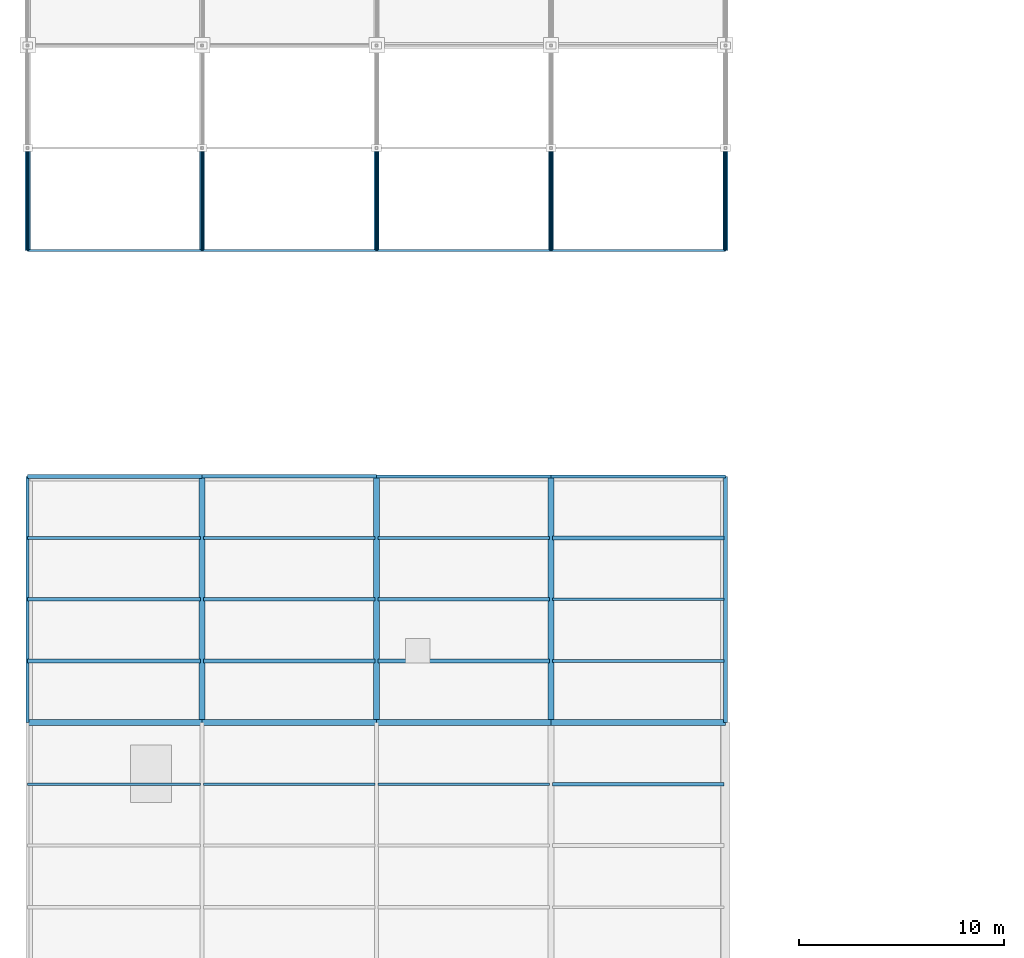
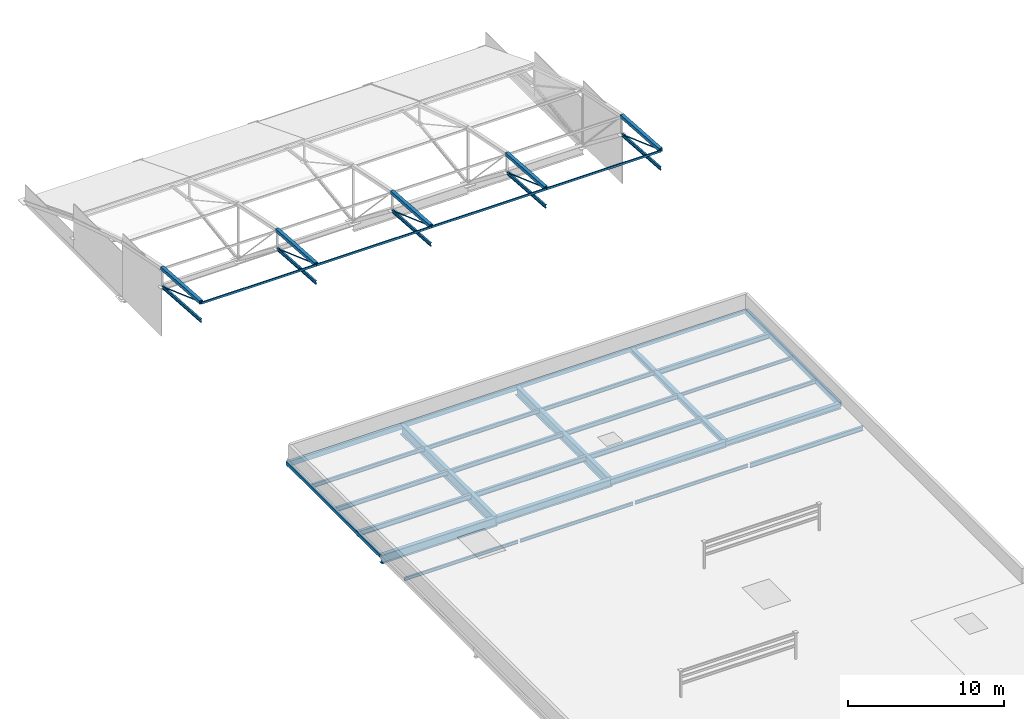
# One storey, part 30 of 66: 29 beams, 19 members.
"""IFC4 building model written with IfcOpenShell, lengths in metres."""

from ifc_helpers import new_model, si_unit, direction, frame, origin, origin_2d, place, context, subcontext, project, spatial, hollow_rectangle, hollow_circle, i_section, extrude, material, material_profile, profile_set, type_object, element, save


model = new_model("IFC4")

# Units and contexts
model_context = context("Model", 3, precision=1e-05, world=origin(), true_north=direction((0.0, 1.0)))
body_context = subcontext(model_context, "Body", "Model", "MODEL_VIEW")
ifc_project = project(units=[si_unit("LENGTHUNIT", "METRE"), si_unit("AREAUNIT", "SQUARE_METRE"), si_unit("VOLUMEUNIT", "CUBIC_METRE"), si_unit("PLANEANGLEUNIT", "RADIAN"), si_unit("MASSUNIT", "GRAM", prefix="KILO")], contexts=[model_context])

# Site, building, storey
site_placement = place(None, origin())
site = spatial("IfcSite", under=ifc_project, at=site_placement, CompositionType="ELEMENT")
building_placement = place(site_placement, origin())
building = spatial("IfcBuilding", under=site, at=building_placement, Name="Solvikara Media Centre", CompositionType="ELEMENT")
storey_placement = place(building_placement, frame((0.0, 0.0, 19.800048828125)))
storey = spatial("IfcBuildingStorey", under=building, at=storey_placement, Name="L04", CompositionType="ELEMENT", Elevation=19.800048828125)

# Beams
ifc_material = material(Name="Steel S355JR", Category="steel")
ifc_material_profile_1 = material_profile(ifc_material, i_section(OverallWidth=0.300048828125, OverallDepth=0.800048828125, WebThickness=0.013916015625, FlangeThickness=0.02587890625, at=origin_2d()), Name="WF 800x300x14x26")
ifc_profile_set_1 = profile_set([ifc_material_profile_1], Name="Steel S355JR")
beam_type_1 = type_object("IfcBeamType", Name="BM-16", PredefinedType="BEAM", material=ifc_profile_set_1)
beam_1_placement = place(storey_placement, frame((8.5, 68.5, -0.632080078125), z_axis=(0.0, 1.0, 0.0), x_axis=(-1.0, 0.0, 0.0)))
element("IfcBeam", 1, at=beam_1_placement, inside=storey, type_object=beam_type_1, Name="B-L04-Y1499", PredefinedType="BEAM", context=body_context, shape_type="SweptSolid", body=[
    extrude(i_section(OverallWidth=0.300048828125, OverallDepth=0.800048828125, WebThickness=0.013916015625, FlangeThickness=0.02587890625, at=origin_2d()), origin(), (0.0, 0.0, 1.0), 12.0),
])
ifc_material_profile_2 = material_profile(ifc_material, i_section(OverallWidth=0.199951171875, OverallDepth=0.39990234375, WebThickness=0.008056640625, FlangeThickness=0.012939453125, at=origin_2d()), Name="WF 400x200x8x13")
ifc_profile_set_2 = profile_set([ifc_material_profile_2], Name="Steel S355JR")
beam_type_2 = type_object("IfcBeamType", Name="BM-21", PredefinedType="JOIST", material=ifc_profile_set_2)
beam_2_placement = place(storey_placement, frame((8.577880859375, 71.5, -0.43212890625), z_axis=(1.0, 0.0, 0.0), x_axis=(0.0, 1.0, 0.0)))
element("IfcBeam", 2, at=beam_2_placement, inside=storey, type_object=beam_type_2, Name="J-L04-1569", PredefinedType="JOIST", context=body_context, shape_type="SweptSolid", body=[
    extrude(i_section(OverallWidth=0.199951171875, OverallDepth=0.39990234375, WebThickness=0.008056640625, FlangeThickness=0.012939453125, at=origin_2d()), origin(), (0.0, 0.0, 1.0), 8.34423828125),
])
ifc_material_profile_3 = material_profile(ifc_material, i_section(OverallWidth=0.175048828125, OverallDepth=0.35009765625, WebThickness=0.007080078125, FlangeThickness=0.010986328125, at=origin_2d()), Name="WF 350x175x7x11")
ifc_profile_set_3 = profile_set([ifc_material_profile_3], Name="Steel S355JR")
beam_type_3 = type_object("IfcBeamType", Name="BM-22", PredefinedType="JOIST", material=ifc_profile_set_3)
for number, where, z_axis, x_axis, name in (
    (3, (8.577880859375, 74.5, -0.406982421875), (1.0, 0.0, 0.0), (0.0, 1.0, 0.0), "J-L04-1570"),
    (4, (25.577880859375, 65.5, -0.406982421875), (1.0, 0.0, 0.0), (0.0, 1.0, 0.0), "J-L04-1586"),
):
    element("IfcBeam", number, at=place(storey_placement, frame(where, z_axis=z_axis, x_axis=x_axis)), inside=storey, type_object=beam_type_3, Name=name, PredefinedType="JOIST", context=body_context, shape_type="SweptSolid", body=[
        extrude(i_section(OverallWidth=0.175048828125, OverallDepth=0.35009765625, WebThickness=0.007080078125, FlangeThickness=0.010986328125, at=origin_2d()), origin(), (0.0, 0.0, 1.0), 8.34423828125),
    ])
ifc_material_profile_4 = material_profile(ifc_material, i_section(OverallWidth=0.14990234375, OverallDepth=0.300048828125, WebThickness=0.006591796875, FlangeThickness=0.009033203125, at=origin_2d()), Name="WF 300x150x6.5x9")
ifc_profile_set_4 = profile_set([ifc_material_profile_4], Name="Steel S355JR")
beam_type_4 = type_object("IfcBeamType", Name="BM-23", PredefinedType="JOIST", material=ifc_profile_set_4)
for number, where, z_axis, x_axis, name in (
    (5, (8.577880859375, 77.5, -0.382080078125), (1.0, 0.0, 0.0), (0.0, 1.0, 0.0), "J-L04-1571"),
    (6, (25.577880859375, 71.5, -0.382080078125), (1.0, 0.0, 0.0), (0.0, 1.0, 0.0), "J-L04-1587"),
):
    element("IfcBeam", number, at=place(storey_placement, frame(where, z_axis=z_axis, x_axis=x_axis)), inside=storey, type_object=beam_type_4, Name=name, PredefinedType="JOIST", context=body_context, shape_type="SweptSolid", body=[
        extrude(i_section(OverallWidth=0.14990234375, OverallDepth=0.300048828125, WebThickness=0.006591796875, FlangeThickness=0.009033203125, at=origin_2d()), origin(), (0.0, 0.0, 1.0), 8.34423828125),
    ])
ifc_material_profile_5 = material_profile(ifc_material, i_section(OverallWidth=0.125, OverallDepth=0.25, WebThickness=0.006103515625, FlangeThickness=0.009033203125, at=origin_2d()), Name="WF 250x125x6x9")
ifc_profile_set_5 = profile_set([ifc_material_profile_5], Name="Steel S355JR")
beam_type_5 = type_object("IfcBeamType", Name="BM-24", PredefinedType="JOIST", material=ifc_profile_set_5)
beam_3_placement = place(storey_placement, frame((0.0, 65.5, -0.35693359375), z_axis=(1.0, 0.0, 0.0), x_axis=(0.0, 1.0, 0.0)))
element("IfcBeam", 7, at=beam_3_placement, inside=storey, type_object=beam_type_5, Name="J-L04-1556", PredefinedType="JOIST", context=body_context, shape_type="SweptSolid", body=[
    extrude(i_section(OverallWidth=0.125, OverallDepth=0.25, WebThickness=0.006103515625, FlangeThickness=0.009033203125, at=origin_2d()), origin(), (0.0, 0.0, 1.0), 8.422119140625),
])
for number, where, z_axis, x_axis, name in (
    (8, (17.077880859375, 65.5, -0.35693359375), (1.0, 0.0, 0.0), (0.0, 1.0, 0.0), "J-L04-1580"),
    (9, (25.577880859375, 74.5, -0.35693359375), (1.0, 0.0, 0.0), (0.0, 1.0, 0.0), "J-L04-1588"),
):
    element("IfcBeam", number, at=place(storey_placement, frame(where, z_axis=z_axis, x_axis=x_axis)), inside=storey, type_object=beam_type_5, Name=name, PredefinedType="JOIST", context=body_context, shape_type="SweptSolid", body=[
        extrude(i_section(OverallWidth=0.125, OverallDepth=0.25, WebThickness=0.006103515625, FlangeThickness=0.009033203125, at=origin_2d()), origin(), (0.0, 0.0, 1.0), 8.34423828125),
    ])
ifc_material_profile_6 = material_profile(ifc_material, i_section(OverallWidth=0.300048828125, OverallDepth=0.69189453125, WebThickness=0.012939453125, FlangeThickness=0.02001953125, at=origin_2d()), Name="H 692x300x13x20")
ifc_profile_set_6 = profile_set([ifc_material_profile_6], Name="Steel S355JR")
beam_type_6 = type_object("IfcBeamType", Name="BM-25", PredefinedType="BEAM", material=ifc_profile_set_6)
beam_4_placement = place(storey_placement, frame((0.0, 68.5, -0.578125), z_axis=(1.0, 0.0, 0.0), x_axis=(0.0, 1.0, 0.0)))
element("IfcBeam", 10, at=beam_4_placement, inside=storey, type_object=beam_type_6, Name="B-L04-X1475", PredefinedType="BEAM", context=body_context, shape_type="SweptSolid", body=[
    extrude(i_section(OverallWidth=0.300048828125, OverallDepth=0.69189453125, WebThickness=0.012939453125, FlangeThickness=0.02001953125, at=origin_2d()), origin(), (0.0, 0.0, 1.0), 8.5),
])
beam_5_placement = place(storey_placement, frame((17.0, 68.5, -0.578125), z_axis=(0.0, 1.0, 0.0), x_axis=(-1.0, 0.0, 0.0)))
element("IfcBeam", 11, at=beam_5_placement, inside=storey, type_object=beam_type_6, Name="B-L04-Y1503", PredefinedType="BEAM", context=body_context, shape_type="SweptSolid", body=[
    extrude(i_section(OverallWidth=0.300048828125, OverallDepth=0.69189453125, WebThickness=0.012939453125, FlangeThickness=0.02001953125, at=origin_2d()), origin(), (0.0, 0.0, 1.0), 12.0),
])
ifc_material_profile_7 = material_profile(ifc_material, i_section(OverallWidth=0.300048828125, OverallDepth=0.587890625, WebThickness=0.011962890625, FlangeThickness=0.02001953125, at=origin_2d()), Name="H 588x300x12x20")
ifc_profile_set_7 = profile_set([ifc_material_profile_7], Name="Steel S355JR")
beam_type_7 = type_object("IfcBeamType", Name="BM-26", PredefinedType="BEAM", material=ifc_profile_set_7)
beam_6_placement = place(storey_placement, frame((8.5, 68.5, -0.526123046875), z_axis=(1.0, 0.0, 0.0), x_axis=(0.0, 1.0, 0.0)))
element("IfcBeam", 12, at=beam_6_placement, inside=storey, type_object=beam_type_7, Name="B-L04-X1476", PredefinedType="BEAM", context=body_context, shape_type="SweptSolid", body=[
    extrude(i_section(OverallWidth=0.300048828125, OverallDepth=0.587890625, WebThickness=0.011962890625, FlangeThickness=0.02001953125, at=origin_2d()), origin(), (0.0, 0.0, 1.0), 8.5),
])
ifc_material_profile_8 = material_profile(ifc_material, i_section(OverallWidth=0.300048828125, OverallDepth=0.488037109375, WebThickness=0.010986328125, FlangeThickness=0.01806640625, at=origin_2d()), Name="H 488x300x11x18")
ifc_profile_set_8 = profile_set([ifc_material_profile_8], Name="Steel S355JR")
beam_type_8 = type_object("IfcBeamType", Name="BM-27", PredefinedType="BEAM", material=ifc_profile_set_8)
beam_7_placement = place(storey_placement, frame((17.0, 68.5, -0.47607421875), z_axis=(1.0, 0.0, 0.0), x_axis=(0.0, 1.0, 0.0)))
element("IfcBeam", 13, at=beam_7_placement, inside=storey, type_object=beam_type_8, Name="B-L04-X1477", PredefinedType="BEAM", context=body_context, shape_type="SweptSolid", body=[
    extrude(i_section(OverallWidth=0.300048828125, OverallDepth=0.488037109375, WebThickness=0.010986328125, FlangeThickness=0.01806640625, at=origin_2d()), origin(), (0.0, 0.0, 1.0), 8.5),
])
ifc_material_profile_9 = material_profile(ifc_material, i_section(OverallWidth=0.300048828125, OverallDepth=0.43994140625, WebThickness=0.010986328125, FlangeThickness=0.01806640625, at=origin_2d()), Name="H 440x300x11x18")
ifc_profile_set_9 = profile_set([ifc_material_profile_9], Name="Steel S355JR")
beam_type_9 = type_object("IfcBeamType", Name="BM-28", PredefinedType="BEAM", material=ifc_profile_set_9)
beam_8_placement = place(storey_placement, frame((25.5, 68.5, -0.4521484375), z_axis=(1.0, 0.0, 0.0), x_axis=(0.0, 1.0, 0.0)))
element("IfcBeam", 14, at=beam_8_placement, inside=storey, type_object=beam_type_9, Name="B-L04-X1478", PredefinedType="BEAM", context=body_context, shape_type="SweptSolid", body=[
    extrude(i_section(OverallWidth=0.300048828125, OverallDepth=0.43994140625, WebThickness=0.010986328125, FlangeThickness=0.01806640625, at=origin_2d()), origin(), (0.0, 0.0, 1.0), 8.5),
])
ifc_material_profile_10 = material_profile(ifc_material, i_section(OverallWidth=0.300048828125, OverallDepth=0.389892578125, WebThickness=0.010009765625, FlangeThickness=0.01611328125, at=origin_2d()), Name="H 390x300x10x16")
ifc_profile_set_10 = profile_set([ifc_material_profile_10], Name="Steel S355JR")
beam_type_10 = type_object("IfcBeamType", Name="BM-29", PredefinedType="BEAM", material=ifc_profile_set_10)
beam_9_placement = place(storey_placement, frame((25.5, 68.5, -0.427001953125), z_axis=(0.0, 1.0, 0.0), x_axis=(-1.0, 0.0, 0.0)))
element("IfcBeam", 15, at=beam_9_placement, inside=storey, type_object=beam_type_10, Name="B-L04-Y1507", PredefinedType="BEAM", context=body_context, shape_type="SweptSolid", body=[
    extrude(i_section(OverallWidth=0.300048828125, OverallDepth=0.389892578125, WebThickness=0.010009765625, FlangeThickness=0.01611328125, at=origin_2d()), origin(), (0.0, 0.0, 1.0), 12.0),
])
ifc_material_profile_11 = material_profile(ifc_material, hollow_rectangle(XDim=0.199951171875, YDim=0.39990234375, WallThickness=0.011962890625, at=origin_2d()), Name="RHS 400x200x12")
ifc_profile_set_11 = profile_set([ifc_material_profile_11], Name="Steel S355JR")
beam_type_11 = type_object("IfcBeamType", Name="BM-33", PredefinedType="SPANDREL", material=ifc_profile_set_11)
beam_10_placement = place(storey_placement, frame((0.0, 80.5, -0.43212890625), z_axis=(1.0, 0.0, 0.0), x_axis=(0.0, 1.0, 0.0)))
element("IfcBeam", 16, at=beam_10_placement, inside=storey, type_object=beam_type_11, Name="B-L04-X1479", PredefinedType="SPANDREL", context=body_context, shape_type="SweptSolid", body=[
    extrude(hollow_rectangle(XDim=0.199951171875, YDim=0.39990234375, WallThickness=0.011962890625, at=origin_2d()), origin(), (0.0, 0.0, 1.0), 8.5),
])
beam_11_placement = place(storey_placement, frame((34.0, 68.5, -0.43212890625), z_axis=(0.0, 1.0, 0.0), x_axis=(-1.0, 0.0, 0.0)))
element("IfcBeam", 17, at=beam_11_placement, inside=storey, type_object=beam_type_11, Name="B-L04-Y1515", PredefinedType="SPANDREL", context=body_context, shape_type="SweptSolid", body=[
    extrude(hollow_rectangle(XDim=0.199951171875, YDim=0.39990234375, WallThickness=0.011962890625, at=origin_2d()), origin(), (0.0, 0.0, 1.0), 12.0),
])
ifc_material_profile_12 = material_profile(ifc_material, hollow_rectangle(XDim=0.175048828125, YDim=0.35009765625, WallThickness=0.010009765625, at=origin_2d()), Name="RHS 350x175x10")
ifc_profile_set_12 = profile_set([ifc_material_profile_12], Name="Steel S355JR")
beam_type_12 = type_object("IfcBeamType", Name="BM-34", PredefinedType="SPANDREL", material=ifc_profile_set_12)
beam_12_placement = place(storey_placement, frame((8.5, 80.5, -0.406982421875), z_axis=(1.0, 0.0, 0.0), x_axis=(0.0, 1.0, 0.0)))
element("IfcBeam", 18, at=beam_12_placement, inside=storey, type_object=beam_type_12, Name="B-L04-X1480", PredefinedType="SPANDREL", context=body_context, shape_type="SweptSolid", body=[
    extrude(hollow_rectangle(XDim=0.175048828125, YDim=0.35009765625, WallThickness=0.010009765625, at=origin_2d()), origin(), (0.0, 0.0, 1.0), 8.5),
])
ifc_material_profile_13 = material_profile(ifc_material, hollow_rectangle(XDim=0.14990234375, YDim=0.300048828125, WallThickness=0.010009765625, at=origin_2d()), Name="RHS 300x150x10")
ifc_profile_set_13 = profile_set([ifc_material_profile_13], Name="Steel S355JR")
beam_type_13 = type_object("IfcBeamType", Name="BM-35", PredefinedType="BEAM", material=ifc_profile_set_13)
beam_13_placement = place(storey_placement, frame((17.0, 80.5, -0.382080078125), z_axis=(1.0, 0.0, 0.0), x_axis=(0.0, 1.0, 0.0)))
element("IfcBeam", 19, at=beam_13_placement, inside=storey, type_object=beam_type_13, Name="B-L04-X1481", PredefinedType="BEAM", context=body_context, shape_type="SweptSolid", body=[
    extrude(hollow_rectangle(XDim=0.14990234375, YDim=0.300048828125, WallThickness=0.010009765625, at=origin_2d()), origin(), (0.0, 0.0, 1.0), 8.5),
])
ifc_material_profile_14 = material_profile(ifc_material, hollow_rectangle(XDim=0.14990234375, YDim=0.25, WallThickness=0.008056640625, at=origin_2d()), Name="RHS 250x150x8")
ifc_profile_set_14 = profile_set([ifc_material_profile_14], Name="Steel S355JR")
beam_type_14 = type_object("IfcBeamType", Name="BM-36", PredefinedType="JOIST", material=ifc_profile_set_14)
beam_14_placement = place(storey_placement, frame((25.5, 80.5, -0.35693359375), z_axis=(1.0, 0.0, 0.0), x_axis=(0.0, 1.0, 0.0)))
element("IfcBeam", 20, at=beam_14_placement, inside=storey, type_object=beam_type_14, Name="B-L04-X1482", PredefinedType="JOIST", context=body_context, shape_type="SweptSolid", body=[
    extrude(hollow_rectangle(XDim=0.14990234375, YDim=0.25, WallThickness=0.008056640625, at=origin_2d()), origin(), (0.0, 0.0, 1.0), 8.5),
])
beam_15_placement = place(storey_placement, frame((0.0, 68.5, -0.35693359375), z_axis=(0.0, 1.0, 0.0), x_axis=(-1.0, 0.0, 0.0)))
element("IfcBeam", 21, at=beam_15_placement, inside=storey, type_object=beam_type_14, Name="B-L04-Y1494", PredefinedType="JOIST", context=body_context, shape_type="SweptSolid", body=[
    extrude(hollow_rectangle(XDim=0.14990234375, YDim=0.25, WallThickness=0.008056640625, at=origin_2d()), origin(), (0.0, 0.0, 1.0), 12.0),
])
ifc_material_profile_15 = material_profile(ifc_material, i_section(OverallWidth=0.198974609375, OverallDepth=0.39599609375, WebThickness=0.007080078125, FlangeThickness=0.010986328125, at=origin_2d()), Name="WF 396x199x7x11")
ifc_profile_set_15 = profile_set([ifc_material_profile_15], Name="Steel S355JR")
beam_type_15 = type_object("IfcBeamType", Name="BM-37", PredefinedType="JOIST", material=ifc_profile_set_15)
beam_16_placement = place(storey_placement, frame((0.0, 71.5, -0.429931640625), z_axis=(1.0, 0.0, 0.0), x_axis=(0.0, 1.0, 0.0)))
element("IfcBeam", 22, at=beam_16_placement, inside=storey, type_object=beam_type_15, Name="J-L04-1557", PredefinedType="JOIST", context=body_context, shape_type="SweptSolid", body=[
    extrude(i_section(OverallWidth=0.198974609375, OverallDepth=0.39599609375, WebThickness=0.007080078125, FlangeThickness=0.010986328125, at=origin_2d()), origin(), (0.0, 0.0, 1.0), 8.422119140625),
])
for number, where, z_axis, x_axis, name in (
    (23, (17.077880859375, 71.5, -0.429931640625), (1.0, 0.0, 0.0), (0.0, 1.0, 0.0), "J-L04-1581"),
    (24, (25.577880859375, 77.5, -0.429931640625), (1.0, 0.0, 0.0), (0.0, 1.0, 0.0), "J-L04-1589"),
):
    element("IfcBeam", number, at=place(storey_placement, frame(where, z_axis=z_axis, x_axis=x_axis)), inside=storey, type_object=beam_type_15, Name=name, PredefinedType="JOIST", context=body_context, shape_type="SweptSolid", body=[
        extrude(i_section(OverallWidth=0.198974609375, OverallDepth=0.39599609375, WebThickness=0.007080078125, FlangeThickness=0.010986328125, at=origin_2d()), origin(), (0.0, 0.0, 1.0), 8.34423828125),
    ])
ifc_material_profile_16 = material_profile(ifc_material, i_section(OverallWidth=0.174072265625, OverallDepth=0.345947265625, WebThickness=0.006103515625, FlangeThickness=0.009033203125, at=origin_2d()), Name="WF 346x174x6x9")
ifc_profile_set_16 = profile_set([ifc_material_profile_16], Name="Steel S355JR")
beam_type_16 = type_object("IfcBeamType", Name="BM-38", PredefinedType="JOIST", material=ifc_profile_set_16)
beam_17_placement = place(storey_placement, frame((0.0, 74.5, -0.405029296875), z_axis=(1.0, 0.0, 0.0), x_axis=(0.0, 1.0, 0.0)))
element("IfcBeam", 25, at=beam_17_placement, inside=storey, type_object=beam_type_16, Name="J-L04-1558", PredefinedType="JOIST", context=body_context, shape_type="SweptSolid", body=[
    extrude(i_section(OverallWidth=0.174072265625, OverallDepth=0.345947265625, WebThickness=0.006103515625, FlangeThickness=0.009033203125, at=origin_2d()), origin(), (0.0, 0.0, 1.0), 8.422119140625),
])
beam_18_placement = place(storey_placement, frame((17.077880859375, 74.5, -0.405029296875), z_axis=(1.0, 0.0, 0.0), x_axis=(0.0, 1.0, 0.0)))
element("IfcBeam", 26, at=beam_18_placement, inside=storey, type_object=beam_type_16, Name="J-L04-1582", PredefinedType="JOIST", context=body_context, shape_type="SweptSolid", body=[
    extrude(i_section(OverallWidth=0.174072265625, OverallDepth=0.345947265625, WebThickness=0.006103515625, FlangeThickness=0.009033203125, at=origin_2d()), origin(), (0.0, 0.0, 1.0), 8.34423828125),
])
ifc_material_profile_17 = material_profile(ifc_material, i_section(OverallWidth=0.14892578125, OverallDepth=0.298095703125, WebThickness=0.005615234375, FlangeThickness=0.008056640625, at=origin_2d()), Name="WF 298x149x5.5x8")
ifc_profile_set_17 = profile_set([ifc_material_profile_17], Name="Steel S355JR")
beam_type_17 = type_object("IfcBeamType", Name="BM-39", PredefinedType="JOIST", material=ifc_profile_set_17)
beam_19_placement = place(storey_placement, frame((0.0, 77.5, -0.381103515625), z_axis=(1.0, 0.0, 0.0), x_axis=(0.0, 1.0, 0.0)))
element("IfcBeam", 27, at=beam_19_placement, inside=storey, type_object=beam_type_17, Name="J-L04-1559", PredefinedType="JOIST", context=body_context, shape_type="SweptSolid", body=[
    extrude(i_section(OverallWidth=0.14892578125, OverallDepth=0.298095703125, WebThickness=0.005615234375, FlangeThickness=0.008056640625, at=origin_2d()), origin(), (0.0, 0.0, 1.0), 8.422119140625),
])
beam_20_placement = place(storey_placement, frame((17.077880859375, 77.5, -0.381103515625), z_axis=(1.0, 0.0, 0.0), x_axis=(0.0, 1.0, 0.0)))
element("IfcBeam", 28, at=beam_20_placement, inside=storey, type_object=beam_type_17, Name="J-L04-1583", PredefinedType="JOIST", context=body_context, shape_type="SweptSolid", body=[
    extrude(i_section(OverallWidth=0.14892578125, OverallDepth=0.298095703125, WebThickness=0.005615234375, FlangeThickness=0.008056640625, at=origin_2d()), origin(), (0.0, 0.0, 1.0), 8.34423828125),
])
ifc_material_profile_18 = material_profile(ifc_material, i_section(OverallWidth=0.1240234375, OverallDepth=0.248046875, WebThickness=0.0048828125, FlangeThickness=0.008056640625, at=origin_2d()), Name="WF 248x124x5x8")
ifc_profile_set_18 = profile_set([ifc_material_profile_18], Name="Steel S355JR")
beam_type_18 = type_object("IfcBeamType", Name="BM-40", PredefinedType="JOIST", material=ifc_profile_set_18)
beam_21_placement = place(storey_placement, frame((8.577880859375, 65.5, -0.35595703125), z_axis=(1.0, 0.0, 0.0), x_axis=(0.0, 1.0, 0.0)))
element("IfcBeam", 29, at=beam_21_placement, inside=storey, type_object=beam_type_18, Name="J-L04-1568", PredefinedType="JOIST", context=body_context, shape_type="SweptSolid", body=[
    extrude(i_section(OverallWidth=0.1240234375, OverallDepth=0.248046875, WebThickness=0.0048828125, FlangeThickness=0.008056640625, at=origin_2d()), origin(), (0.0, 0.0, 1.0), 8.34423828125),
])

# Members
ifc_material_profile_19 = material_profile(ifc_material, hollow_circle(Radius=0.04443359375, WallThickness=0.0048828125, at=origin_2d()), Name="CHS 88.9x5")
ifc_profile_set_19 = profile_set([ifc_material_profile_19], Name="Steel S355JR")
member_type_1 = type_object("IfcMemberType", Name="MB-10", PredefinedType="BRACE", material=ifc_profile_set_19)
for number, where, z_axis, x_axis, name in (
    (30, (0.0, 96.5, 3.73486328125), (0.0, -0.940884483543, 0.338727602401), (1.0, 0.0, 0.0), "AM-DG-00-03"),
    (31, (8.5, 96.5, 3.73486328125), (0.0, -0.940884483543, 0.338727602401), (1.0, 0.0, 0.0), "AM-DG-01-03"),
    (32, (17.0, 96.5, 3.73486328125), (0.0, -0.940884483543, 0.338727602401), (1.0, 0.0, 0.0), "AM-DG-02-03"),
    (33, (25.5, 96.5, 3.73486328125), (0.0, -0.940884483543, 0.338727602401), (1.0, 0.0, 0.0), "AM-DG-03-03"),
    (34, (34.0, 96.5, 3.73486328125), (0.0, -0.940884483543, 0.338727602401), (1.0, 0.0, 0.0), "AM-DG-04-03"),
):
    element("IfcMember", number, at=place(storey_placement, frame(where, z_axis=z_axis, x_axis=x_axis)), inside=storey, type_object=member_type_1, Name=name, PredefinedType="BRACE", context=body_context, shape_type="SweptSolid", body=[
        extrude(hollow_circle(Radius=0.04443359375, WallThickness=0.0048828125, at=origin_2d()), origin(), (0.0, 0.0, 1.0), 5.314208984375),
    ])
ifc_material_profile_20 = material_profile(ifc_material, hollow_rectangle(XDim=0.25, YDim=0.25, WallThickness=0.010009765625, at=origin_2d()), Name="RHS 250x250x10")
ifc_profile_set_20 = profile_set([ifc_material_profile_20], Name="Steel S355JR")
member_type_2 = type_object("IfcMemberType", Name="MB-12", PredefinedType="CHORD", material=ifc_profile_set_20)
for number, where, z_axis, x_axis, name in (
    (35, (0.0, 96.5, 5.18505859375), (0.0, -0.997561002522, 0.069800044757), (1.0, 0.0, 0.0), "AM-TC-00-03"),
    (36, (8.5, 96.5, 5.18505859375), (0.0, -0.997561002522, 0.069800044757), (1.0, 0.0, 0.0), "AM-TC-01-03"),
    (37, (17.0, 96.5, 5.18505859375), (0.0, -0.997561002522, 0.069800044757), (1.0, 0.0, 0.0), "AM-TC-02-03"),
    (38, (25.5, 96.5, 5.18505859375), (0.0, -0.997561002522, 0.069800044757), (1.0, 0.0, 0.0), "AM-TC-03-03"),
    (39, (34.0, 96.5, 5.18505859375), (0.0, -0.997561002522, 0.069800044757), (1.0, 0.0, 0.0), "AM-TC-04-03"),
):
    element("IfcMember", number, at=place(storey_placement, frame(where, z_axis=z_axis, x_axis=x_axis)), inside=storey, type_object=member_type_2, Name=name, PredefinedType="CHORD", context=body_context, shape_type="SweptSolid", body=[
        extrude(hollow_rectangle(XDim=0.25, YDim=0.25, WallThickness=0.010009765625, at=origin_2d()), origin(), (0.0, 0.0, 1.0), 5.01220703125),
    ])
ifc_material_profile_21 = material_profile(ifc_material, hollow_rectangle(XDim=0.080078125, YDim=0.159912109375, WallThickness=0.0048828125, at=origin_2d()), Name="RHS 160x80x5")
ifc_profile_set_21 = profile_set([ifc_material_profile_21], Name="Steel S355JR")
member_type_3 = type_object("IfcMemberType", Name="MB-19", PredefinedType="PURLIN", material=ifc_profile_set_21)
for number, where, z_axis, x_axis, name in (
    (40, (0.0, 91.5, 5.469970703125), (1.0, 0.0, 0.0), (0.0, 1.0, 0.0), "AM-PRL-00-04"),
    (41, (8.5, 91.5, 5.469970703125), (1.0, 0.0, 0.0), (0.0, 1.0, 0.0), "AM-PRL-01-04"),
    (42, (17.0, 91.5, 5.469970703125), (1.0, 0.0, 0.0), (0.0, 1.0, 0.0), "AM-PRL-02-04"),
    (43, (25.5, 91.5, 5.469970703125), (1.0, 0.0, 0.0), (0.0, 1.0, 0.0), "AM-PRL-03-04"),
):
    element("IfcMember", number, at=place(storey_placement, frame(where, z_axis=z_axis, x_axis=x_axis)), inside=storey, type_object=member_type_3, Name=name, PredefinedType="PURLIN", context=body_context, shape_type="SweptSolid", body=[
        extrude(hollow_rectangle(XDim=0.080078125, YDim=0.159912109375, WallThickness=0.0048828125, at=origin_2d()), origin(), (0.0, 0.0, 1.0), 8.5),
    ])
ifc_material_profile_22 = material_profile(ifc_material, i_section(OverallWidth=0.1240234375, OverallDepth=0.248046875, WebThickness=0.0048828125, FlangeThickness=0.008056640625, at=origin_2d()), Name="WF 248x124x5x8")
ifc_profile_set_22 = profile_set([ifc_material_profile_22], Name="Steel S355JR")
member_type_4 = type_object("IfcMemberType", Name="MB-23", PredefinedType="STRINGER", material=ifc_profile_set_22)
for number, where, z_axis, x_axis, name in (
    (44, (0.0, 96.5, 3.73486328125), (0.0, -0.997557609755, 0.06984851623), (1.0, 0.0, 0.0), "AM-BC-00-03"),
    (45, (8.5, 96.5, 3.73486328125), (0.0, -0.997557609755, 0.06984851623), (1.0, 0.0, 0.0), "AM-BC-01-03"),
    (46, (17.0, 96.5, 3.73486328125), (0.0, -0.997557609755, 0.06984851623), (1.0, 0.0, 0.0), "AM-BC-02-03"),
    (47, (25.5, 96.5, 3.73486328125), (0.0, -0.997557609755, 0.06984851623), (1.0, 0.0, 0.0), "AM-BC-03-03"),
    (48, (34.0, 96.5, 3.73486328125), (0.0, -0.997557609755, 0.06984851623), (1.0, 0.0, 0.0), "AM-BC-04-03"),
):
    element("IfcMember", number, at=place(storey_placement, frame(where, z_axis=z_axis, x_axis=x_axis)), inside=storey, type_object=member_type_4, Name=name, PredefinedType="STRINGER", context=body_context, shape_type="SweptSolid", body=[
        extrude(i_section(OverallWidth=0.1240234375, OverallDepth=0.248046875, WebThickness=0.0048828125, FlangeThickness=0.008056640625, at=origin_2d()), origin(), (0.0, 0.0, 1.0), 5.01220703125),
    ])

save(model, "model.ifc")
